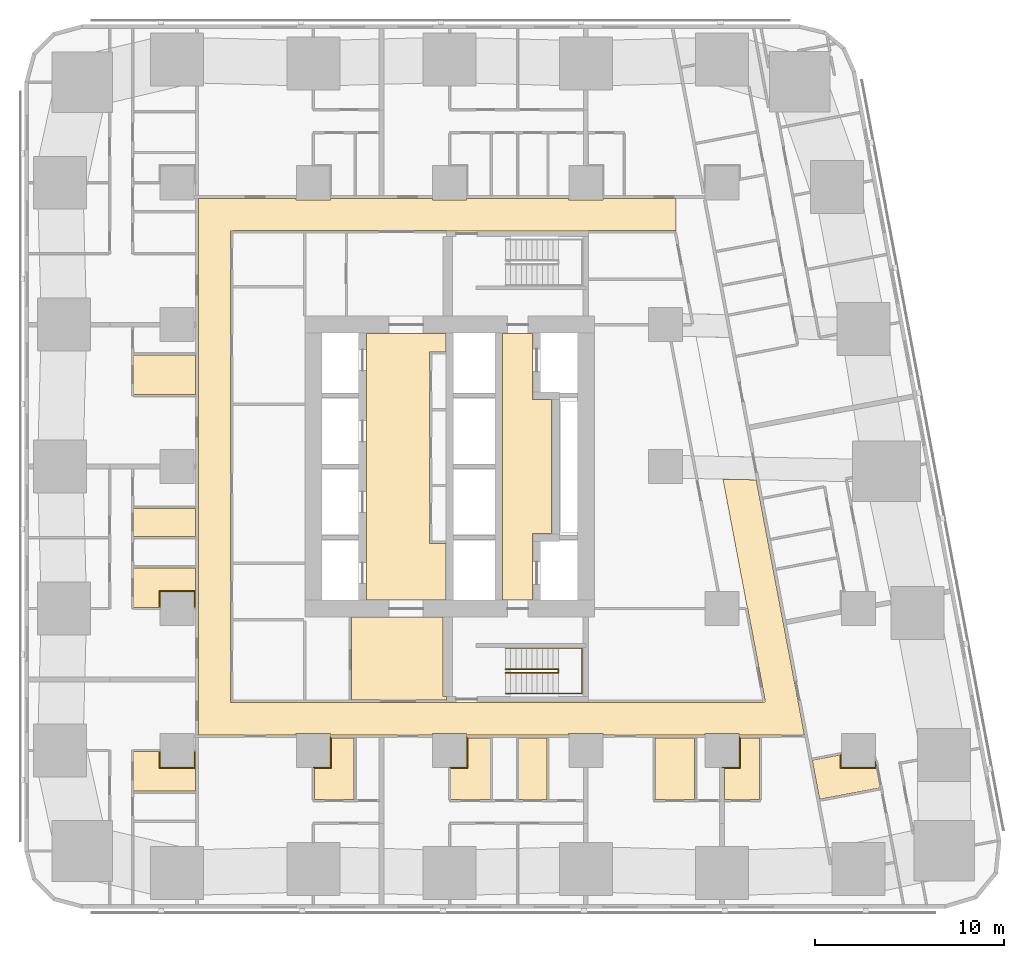
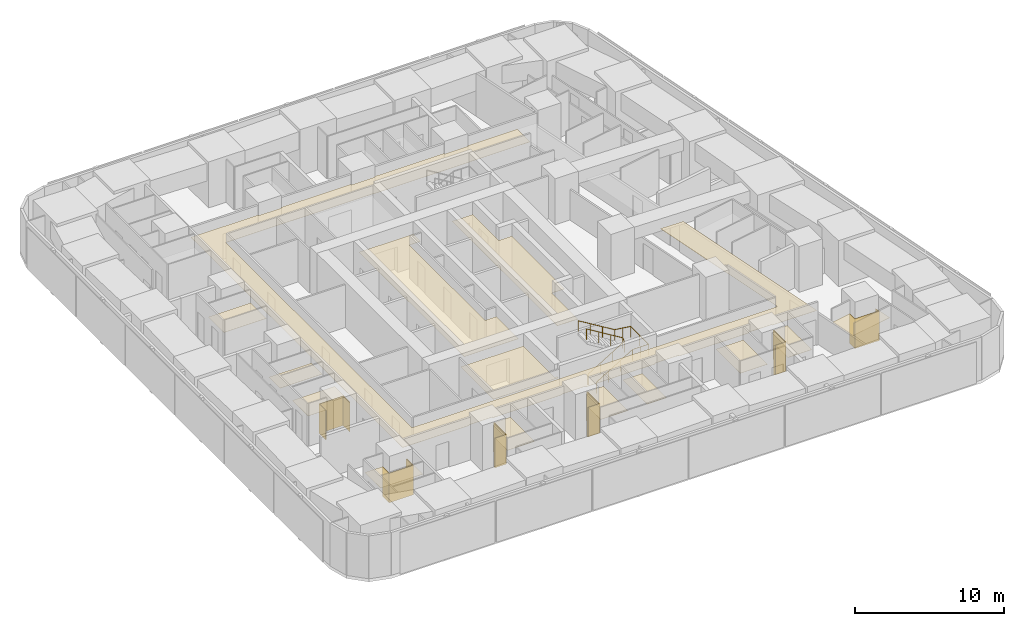
# One storey, part 14 of 16: 20 coverings, 2 railings.
"""IFC4 building model written with IfcOpenShell, lengths in metres."""

from ifc_helpers import new_model, si_unit, direction, frame, origin, origin_2d, place, context, subcontext, project, spatial, polyline, circle, outline, extrude, material, layer, layer_set, type_object, element, save


model = new_model("IFC4")

# Units and contexts
model_context = context("Model", 3, precision=1e-05, world=origin(), true_north=direction((0.0, 1.0)))
body_context = subcontext(model_context, "Body", "Model", "MODEL_VIEW")
ifc_project = project(units=[si_unit("LENGTHUNIT", "METRE"), si_unit("AREAUNIT", "SQUARE_METRE"), si_unit("VOLUMEUNIT", "CUBIC_METRE"), si_unit("PLANEANGLEUNIT", "RADIAN"), si_unit("MASSUNIT", "GRAM", prefix="KILO")], contexts=[model_context])

# Site, building, storey
site_placement = place(None, origin())
site = spatial("IfcSite", under=ifc_project, at=site_placement, CompositionType="ELEMENT")
building_placement = place(site_placement, origin())
building = spatial("IfcBuilding", under=site, at=building_placement, Name="Sheger Commons Tower", CompositionType="ELEMENT")
storey_placement = place(building_placement, frame((0.0, 0.0, 61.25)))
storey = spatial("IfcBuildingStorey", under=building, at=storey_placement, Name="L15", CompositionType="ELEMENT", Elevation=61.25)

# Railings
ifc_material_1 = material(Name="Steel handrail, black powder-coated", Category="steel")
railing_type = type_object("IfcRailingType", Name="HANDRAIL 900", PredefinedType="HANDRAIL", material=ifc_material_1)
railing_1_placement = place(storey_placement, frame((24.550048828125, 11.60009765625, 0.17041015625)))
element("IfcRailing", 1, at=railing_1_placement, inside=storey, type_object=railing_type, Name="Stair S1 handrail L15", PredefinedType="HANDRAIL", context=body_context, shape_type="SweptSolid", body=[
    extrude(circle(Radius=0.02392578125, at=origin_2d()), frame((0.0, 0.0, 0.8759765625), z_axis=(0.854169791009, 0.0, 0.51999420009), x_axis=(0.0, 1.0, 0.0)), (0.0, 0.0, 1.0), 3.278076171875),
    extrude(circle(Radius=0.02392578125, at=origin_2d()), frame((2.800048828125, 0.0, 2.58056640625), z_axis=(0.0, 0.761090297175, 0.648645943136), x_axis=(-1.0, 0.0, 0.0)), (0.0, 0.0, 1.0), 0.2626953125),
    extrude(circle(Radius=0.02392578125, at=origin_2d()), frame((2.800048828125, 0.199951171875, 2.7509765625), z_axis=(-0.854169791009, 0.0, 0.51999420009), x_axis=(0.0, -1.0, 0.0)), (0.0, 0.0, 1.0), 3.278076171875),
    extrude(circle(Radius=0.02099609375, at=origin_2d()), origin(), (0.0, 0.0, 1.0), 0.851806640625),
    extrude(circle(Radius=0.02099609375, at=origin_2d()), frame((0.933349609375, 0.0, 0.568115234375)), (0.0, 0.0, 1.0), 0.851806640625),
    extrude(circle(Radius=0.02099609375, at=origin_2d()), frame((1.86669921875, 0.0, 1.136474609375)), (0.0, 0.0, 1.0), 0.851806640625),
    extrude(circle(Radius=0.02099609375, at=origin_2d()), frame((2.800048828125, 0.0, 1.70458984375)), (0.0, 0.0, 1.0), 0.851806640625),
    extrude(circle(Radius=0.02099609375, at=origin_2d()), frame((2.800048828125, 0.199951171875, 1.875)), (0.0, 0.0, 1.0), 0.851806640625),
    extrude(circle(Radius=0.02099609375, at=origin_2d()), frame((1.86669921875, 0.199951171875, 2.443115234375)), (0.0, 0.0, 1.0), 0.851806640625),
    extrude(circle(Radius=0.02099609375, at=origin_2d()), frame((0.933349609375, 0.199951171875, 3.011474609375)), (0.0, 0.0, 1.0), 0.851806640625),
    extrude(circle(Radius=0.02099609375, at=origin_2d()), frame((0.0, 0.199951171875, 3.57958984375)), (0.0, 0.0, 1.0), 0.851806640625),
])
railing_2_placement = place(storey_placement, frame((24.550048828125, 10.5, 0.17041015625)))
element("IfcRailing", 2, at=railing_2_placement, inside=storey, type_object=railing_type, Name="Stair S1 handrail L15", PredefinedType="HANDRAIL", context=body_context, shape_type="SweptSolid", body=[
    extrude(circle(Radius=0.02392578125, at=origin_2d()), frame((0.0, 0.0, 0.8759765625), z_axis=(0.854169791009, 0.0, 0.51999420009), x_axis=(0.0, 1.0, 0.0)), (0.0, 0.0, 1.0), 3.278076171875),
    extrude(circle(Radius=0.02392578125, at=origin_2d()), frame((2.800048828125, 0.0, 2.58056640625), z_axis=(1.0, 0.0, 0.0), x_axis=(0.0, 1.0, 0.0)), (0.0, 0.0, 1.0), 1.25),
    extrude(circle(Radius=0.02392578125, at=origin_2d()), frame((4.050048828125, 0.0, 2.58056640625), z_axis=(0.0, 1.0, 0.0), x_axis=(-1.0, 0.0, 0.0)), (0.0, 0.0, 1.0), 2.39990234375),
    extrude(circle(Radius=0.02392578125, at=origin_2d()), frame((4.050048828125, 2.39990234375, 2.58056640625), z_axis=(-0.990834877927, 0.0, 0.135078661092), x_axis=(0.0, -1.0, 0.0)), (0.0, 0.0, 1.0), 1.261474609375),
    extrude(circle(Radius=0.02392578125, at=origin_2d()), frame((2.800048828125, 2.39990234375, 2.7509765625), z_axis=(-0.854169791009, 0.0, 0.51999420009), x_axis=(0.0, -1.0, 0.0)), (0.0, 0.0, 1.0), 3.278076171875),
    extrude(circle(Radius=0.02099609375, at=origin_2d()), origin(), (0.0, 0.0, 1.0), 0.851806640625),
    extrude(circle(Radius=0.02099609375, at=origin_2d()), frame((0.933349609375, 0.0, 0.568115234375)), (0.0, 0.0, 1.0), 0.851806640625),
    extrude(circle(Radius=0.02099609375, at=origin_2d()), frame((1.86669921875, 0.0, 1.136474609375)), (0.0, 0.0, 1.0), 0.851806640625),
    extrude(circle(Radius=0.02099609375, at=origin_2d()), frame((2.800048828125, 0.0, 1.70458984375)), (0.0, 0.0, 1.0), 0.851806640625),
    extrude(circle(Radius=0.02099609375, at=origin_2d()), frame((3.425048828125, 0.0, 1.70458984375)), (0.0, 0.0, 1.0), 0.851806640625),
    extrude(circle(Radius=0.02099609375, at=origin_2d()), frame((4.050048828125, 0.0, 1.70458984375)), (0.0, 0.0, 1.0), 0.851806640625),
    extrude(circle(Radius=0.02099609375, at=origin_2d()), frame((4.050048828125, 1.199951171875, 1.70458984375)), (0.0, 0.0, 1.0), 0.851806640625),
    extrude(circle(Radius=0.02099609375, at=origin_2d()), frame((4.050048828125, 2.39990234375, 1.70458984375)), (0.0, 0.0, 1.0), 0.851806640625),
    extrude(circle(Radius=0.02099609375, at=origin_2d()), frame((3.425048828125, 2.39990234375, 1.789794921875)), (0.0, 0.0, 1.0), 0.851806640625),
    extrude(circle(Radius=0.02099609375, at=origin_2d()), frame((2.800048828125, 2.39990234375, 1.875)), (0.0, 0.0, 1.0), 0.851806640625),
    extrude(circle(Radius=0.02099609375, at=origin_2d()), frame((1.86669921875, 2.39990234375, 2.443115234375)), (0.0, 0.0, 1.0), 0.851806640625),
    extrude(circle(Radius=0.02099609375, at=origin_2d()), frame((0.933349609375, 2.39990234375, 3.011474609375)), (0.0, 0.0, 1.0), 0.851806640625),
    extrude(circle(Radius=0.02099609375, at=origin_2d()), frame((0.0, 2.39990234375, 3.57958984375)), (0.0, 0.0, 1.0), 0.851806640625),
])

# Coverings
ifc_material_2 = material(Name="Moisture-resistant gypsum plasterboard 15 mm on a suspended galvanised steel grid", Category="steel")
ifc_layer_1 = layer(ifc_material_2, 0.014892578125)
ifc_layer_set_1 = layer_set([ifc_layer_1], Name="MOISTURE-RESISTANT CEILING 15")
covering_type_1 = type_object("IfcCoveringType", Name="MOISTURE-RESISTANT CEILING 15", PredefinedType="CEILING", material=ifc_layer_set_1)
covering_1_placement = place(storey_placement, frame((0.0, 0.0, 2.39990234375)))
element("IfcCovering", 3, at=covering_1_placement, inside=storey, type_object=covering_type_1, Name="L15-01.B1 ceiling", PredefinedType="CEILING", context=body_context, shape_type="SweptSolid", body=[
    extrude(outline(polyline([(4.905029296875, 5.344970703125), (8.169921875, 5.344970703125), (8.169921875, 7.445068359375), (8.10498046875, 7.445068359375), (8.10498046875, 6.594970703125), (6.294921875, 6.594970703125), (6.294921875, 7.445068359375), (4.905029296875, 7.445068359375), (4.905029296875, 5.344970703125)])), origin(), (0.0, 0.0, 1.0), 0.01513671875),
])
covering_2_placement = place(storey_placement, frame((0.0, 0.0, 2.39990234375)))
element("IfcCovering", 4, at=covering_2_placement, inside=storey, type_object=covering_type_1, Name="L15-02.B1 ceiling", PredefinedType="CEILING", context=body_context, shape_type="SweptSolid", body=[
    extrude(outline(polyline([(4.905029296875, 15.054931640625), (6.294921875, 15.054931640625), (6.294921875, 15.905029296875), (8.10498046875, 15.905029296875), (8.10498046875, 15.054931640625), (8.169921875, 15.054931640625), (8.169921875, 17.155029296875), (4.905029296875, 17.155029296875), (4.905029296875, 15.054931640625)])), origin(), (0.0, 0.0, 1.0), 0.01513671875),
])
covering_3_placement = place(storey_placement, frame((0.0, 0.0, 2.39990234375)))
element("IfcCovering", 5, at=covering_3_placement, inside=storey, type_object=covering_type_1, Name="L15-02.B2 ceiling", PredefinedType="CEILING", context=body_context, shape_type="SweptSolid", body=[
    extrude(outline(polyline([(4.905029296875, 18.804931640625), (8.169921875, 18.804931640625), (8.169921875, 20.294921875), (4.905029296875, 20.294921875), (4.905029296875, 18.804931640625)])), origin(), (0.0, 0.0, 1.0), 0.01513671875),
])
covering_4_placement = place(storey_placement, frame((0.0, 0.0, 2.39990234375)))
element("IfcCovering", 6, at=covering_4_placement, inside=storey, type_object=covering_type_1, Name="L15-03.B1 ceiling", PredefinedType="CEILING", context=body_context, shape_type="SweptSolid", body=[
    extrude(outline(polyline([(4.905029296875, 26.304931640625), (8.169921875, 26.304931640625), (8.169921875, 28.405029296875), (4.905029296875, 28.405029296875), (4.905029296875, 26.304931640625)])), origin(), (0.0, 0.0, 1.0), 0.01513671875),
])
covering_5_placement = place(storey_placement, frame((0.0, 0.0, 2.39990234375)))
element("IfcCovering", 7, at=covering_5_placement, inside=storey, type_object=covering_type_1, Name="L15-05.B1 ceiling", PredefinedType="CEILING", context=body_context, shape_type="SweptSolid", body=[
    extrude(outline(polyline([(14.455078125, 4.905029296875), (16.554931640625, 4.905029296875), (16.554931640625, 8.169921875), (15.304931640625, 8.169921875), (15.304931640625, 6.594970703125), (14.455078125, 6.594970703125), (14.455078125, 4.905029296875)])), origin(), (0.0, 0.0, 1.0), 0.01513671875),
])
covering_6_placement = place(storey_placement, frame((0.0, 0.0, 2.39990234375)))
element("IfcCovering", 8, at=covering_6_placement, inside=storey, type_object=covering_type_1, Name="L15-06.B1 ceiling", PredefinedType="CEILING", context=body_context, shape_type="SweptSolid", body=[
    extrude(outline(polyline([(21.655029296875, 4.905029296875), (23.7548828125, 4.905029296875), (23.7548828125, 8.169921875), (22.5048828125, 8.169921875), (22.5048828125, 6.594970703125), (21.655029296875, 6.594970703125), (21.655029296875, 4.905029296875)])), origin(), (0.0, 0.0, 1.0), 0.01513671875),
])
covering_7_placement = place(storey_placement, frame((0.0, 0.0, 2.39990234375)))
element("IfcCovering", 9, at=covering_7_placement, inside=storey, type_object=covering_type_1, Name="L15-06.B2 ceiling", PredefinedType="CEILING", context=body_context, shape_type="SweptSolid", body=[
    extrude(outline(polyline([(25.2548828125, 4.905029296875), (26.7451171875, 4.905029296875), (26.7451171875, 8.169921875), (25.2548828125, 8.169921875), (25.2548828125, 4.905029296875)])), origin(), (0.0, 0.0, 1.0), 0.01513671875),
])
covering_8_placement = place(storey_placement, frame((0.0, 0.0, 2.39990234375)))
element("IfcCovering", 10, at=covering_8_placement, inside=storey, type_object=covering_type_1, Name="L15-07.B1 ceiling", PredefinedType="CEILING", context=body_context, shape_type="SweptSolid", body=[
    extrude(outline(polyline([(32.455078125, 4.905029296875), (34.554931640625, 4.905029296875), (34.554931640625, 8.169921875), (32.455078125, 8.169921875), (32.455078125, 4.905029296875)])), origin(), (0.0, 0.0, 1.0), 0.01513671875),
])
covering_9_placement = place(storey_placement, frame((0.0, 0.0, 2.39990234375)))
element("IfcCovering", 11, at=covering_9_placement, inside=storey, type_object=covering_type_1, Name="L15-08.B1 ceiling", PredefinedType="CEILING", context=body_context, shape_type="SweptSolid", body=[
    extrude(outline(polyline([(36.1298828125, 4.905029296875), (37.97412109375, 4.905029296875), (37.97412109375, 8.169921875), (36.905029296875, 8.169921875), (36.905029296875, 6.594970703125), (36.1298828125, 6.594970703125), (36.1298828125, 4.905029296875)])), origin(), (0.0, 0.0, 1.0), 0.01513671875),
])
covering_10_placement = place(storey_placement, frame((0.0, 0.0, 2.39990234375)))
element("IfcCovering", 12, at=covering_10_placement, inside=storey, type_object=covering_type_1, Name="L15-11.B1 ceiling", PredefinedType="CEILING", context=body_context, shape_type="SweptSolid", body=[
    extrude(outline(polyline([(41.156005859375, 4.9208984375), (44.364013671875, 5.527099609375), (44.10693359375, 6.885009765625), (44.10498046875, 6.885009765625), (44.10498046875, 6.594970703125), (42.294921875, 6.594970703125), (42.294921875, 7.27392578125), (40.76611328125, 6.985107421875), (41.156005859375, 4.9208984375)])), origin(), (0.0, 0.0, 1.0), 0.01513671875),
])
ifc_material_3 = material(Name="Gypsum plasterboard 15 mm on a suspended steel grid", Category="steel")
ifc_layer_2 = layer(ifc_material_3, 0.014892578125)
ifc_layer_set_2 = layer_set([ifc_layer_2], Name="SUSPENDED CEILING 15")
covering_type_2 = type_object("IfcCoveringType", Name="SUSPENDED CEILING 15", PredefinedType="CEILING", material=ifc_layer_set_2)
covering_11_placement = place(storey_placement, frame((0.0, 0.0, 2.699951171875)))
element("IfcCovering", 13, at=covering_11_placement, inside=storey, type_object=covering_type_2, Name="L15-CO ceiling", PredefinedType="CEILING", context=body_context, shape_type="SweptSolid", body=[
    extrude(outline(polyline([(8.330078125, 8.330078125), (13.4951171875, 8.330078125), (13.4951171875, 8.405029296875), (15.304931640625, 8.405029296875), (15.304931640625, 8.330078125), (20.695068359375, 8.330078125), (20.695068359375, 8.405029296875), (22.5048828125, 8.405029296875), (22.5048828125, 8.330078125), (27.89501953125, 8.330078125), (27.89501953125, 8.405029296875), (29.705078125, 8.405029296875), (29.705078125, 8.330078125), (35.094970703125, 8.330078125), (35.094970703125, 8.405029296875), (36.905029296875, 8.405029296875), (36.905029296875, 8.330078125), (40.34912109375, 8.330078125), (37.804931640625, 21.798095703125), (36.048095703125, 21.8330078125), (37.3359375, 15.013916015625), (37.35302734375, 15.01708984375), (38.26904296875, 10.1708984375), (38.251953125, 10.1669921875), (38.27392578125, 10.050048828125), (38.14306640625, 10.050048828125), (38.14306640625, 10.031982421875), (28.945068359375, 10.031982421875), (28.945068359375, 10.044921875), (21.455078125, 10.044921875), (21.455078125, 10.031982421875), (10.157958984375, 10.031982421875), (10.157958984375, 10.044921875), (10.031982421875, 10.044921875), (10.031982421875, 34.955078125), (10.157958984375, 34.955078125), (10.157958984375, 34.968017578125), (21.455078125, 34.968017578125), (21.455078125, 34.949951171875), (28.945068359375, 34.949951171875), (28.945068359375, 34.968017578125), (33.54296875, 34.968017578125), (33.54296875, 34.949951171875), (33.568115234375, 34.949951171875), (33.568115234375, 36.669921875), (29.705078125, 36.669921875), (29.705078125, 36.594970703125), (27.89501953125, 36.594970703125), (27.89501953125, 36.669921875), (22.5048828125, 36.669921875), (22.5048828125, 36.594970703125), (20.695068359375, 36.594970703125), (20.695068359375, 36.669921875), (15.304931640625, 36.669921875), (15.304931640625, 36.594970703125), (13.4951171875, 36.594970703125), (13.4951171875, 36.669921875), (8.330078125, 36.669921875), (8.330078125, 8.330078125)])), origin(), (0.0, 0.0, 1.0), 0.01513671875),
])
covering_12_placement = place(storey_placement, frame((0.0, 0.0, 2.699951171875)))
element("IfcCovering", 14, at=covering_12_placement, inside=storey, type_object=covering_type_2, Name="L15-SVS1 ceiling", PredefinedType="CEILING", context=body_context, shape_type="SweptSolid", body=[
    extrude(outline(polyline([(16.406982421875, 10.16796875), (21.445068359375, 10.16796875), (21.445068359375, 10.344970703125), (21.2451171875, 10.344970703125), (21.2451171875, 14.544921875), (16.406982421875, 14.544921875), (16.406982421875, 10.16796875)])), origin(), (0.0, 0.0, 1.0), 0.01513671875),
])
covering_13_placement = place(storey_placement, frame((0.0, 0.0, 2.699951171875)))
element("IfcCovering", 15, at=covering_13_placement, inside=storey, type_object=covering_type_2, Name="L15-LL ceiling", PredefinedType="CEILING", context=body_context, shape_type="SweptSolid", body=[
    extrude(outline(polyline([(17.205078125, 15.455078125), (21.39990234375, 15.455078125), (21.39990234375, 18.43310546875), (20.657958984375, 18.43310546875), (20.532958984375, 18.43310546875), (20.532958984375, 28.56689453125), (20.657958984375, 28.56689453125), (21.39990234375, 28.56689453125), (21.39990234375, 29.544921875), (17.205078125, 29.544921875), (17.205078125, 15.455078125)])), origin(), (0.0, 0.0, 1.0), 0.01513671875),
])
covering_14_placement = place(storey_placement, frame((0.0, 0.0, 2.699951171875)))
element("IfcCovering", 16, at=covering_14_placement, inside=storey, type_object=covering_type_2, Name="L15-FL ceiling", PredefinedType="CEILING", context=body_context, shape_type="SweptSolid", body=[
    extrude(outline(polyline([(24.405029296875, 15.455078125), (25.9951171875, 15.455078125), (25.9951171875, 18.955078125), (26.9951171875, 18.955078125), (26.9951171875, 26.044921875), (25.9951171875, 26.044921875), (25.9951171875, 29.544921875), (24.405029296875, 29.544921875), (24.405029296875, 15.455078125)])), origin(), (0.0, 0.0, 1.0), 0.01513671875),
])
ifc_material_4 = material(Name="Moisture-resistant gypsum board 12.5 mm on 25 mm treated timber battens, tanked and tiled", Category="wood")
ifc_layer_3 = layer(ifc_material_4, 0.050048828125)
ifc_layer_set_3 = layer_set([ifc_layer_3], Name="WET-ROOM COLUMN LINING")
covering_type_3 = type_object("IfcCoveringType", Name="WET-ROOM COLUMN LINING", PredefinedType="CLADDING", material=ifc_layer_set_3)
covering_15_placement = place(storey_placement, origin())
element("IfcCovering", 17, at=covering_15_placement, inside=storey, type_object=covering_type_3, Name="Bathroom column lining C8 L15", PredefinedType="CLADDING", context=body_context, shape_type="SweptSolid", body=[
    extrude(outline(polyline([(6.300048828125, 7.5), (6.300048828125, 6.60009765625), (8.10009765625, 6.60009765625), (8.10009765625, 7.5), (8.10107421875, 7.5), (8.10107421875, 7.449951171875), (8.14990234375, 7.449951171875), (8.14990234375, 6.550048828125), (6.25, 6.550048828125), (6.25, 7.449951171875), (6.299072265625, 7.449951171875), (6.299072265625, 7.5), (6.300048828125, 7.5)])), origin(), (0.0, 0.0, 1.0), 2.39990234375),
])
covering_16_placement = place(storey_placement, origin())
element("IfcCovering", 18, at=covering_16_placement, inside=storey, type_object=covering_type_3, Name="Bathroom column lining C8 L15", PredefinedType="CLADDING", context=body_context, shape_type="SweptSolid", body=[
    extrude(outline(polyline([(14.449951171875, 6.550048828125), (14.449951171875, 6.59912109375), (14.39990234375, 6.59912109375), (14.39990234375, 6.60009765625), (15.300048828125, 6.60009765625), (15.300048828125, 8.25), (15.301025390625, 8.25), (15.301025390625, 8.175048828125), (15.35009765625, 8.175048828125), (15.35009765625, 6.550048828125), (14.449951171875, 6.550048828125)])), origin(), (0.0, 0.0, 1.0), 2.39990234375),
])
covering_17_placement = place(storey_placement, origin())
element("IfcCovering", 19, at=covering_17_placement, inside=storey, type_object=covering_type_3, Name="Bathroom column lining C8 L15", PredefinedType="CLADDING", context=body_context, shape_type="SweptSolid", body=[
    extrude(outline(polyline([(21.64990234375, 6.550048828125), (21.64990234375, 6.59912109375), (21.60009765625, 6.59912109375), (21.60009765625, 6.60009765625), (22.5, 6.60009765625), (22.5, 8.25), (22.5009765625, 8.25), (22.5009765625, 8.175048828125), (22.550048828125, 8.175048828125), (22.550048828125, 6.550048828125), (21.64990234375, 6.550048828125)])), origin(), (0.0, 0.0, 1.0), 2.39990234375),
])
covering_18_placement = place(storey_placement, origin())
element("IfcCovering", 20, at=covering_18_placement, inside=storey, type_object=covering_type_3, Name="Shower room column lining C8 L15", PredefinedType="CLADDING", context=body_context, shape_type="SweptSolid", body=[
    extrude(outline(polyline([(36.125, 6.550048828125), (36.125, 6.59912109375), (36.0, 6.59912109375), (36.0, 6.60009765625), (36.89990234375, 6.60009765625), (36.89990234375, 8.25), (36.90087890625, 8.25), (36.90087890625, 8.175048828125), (36.949951171875, 8.175048828125), (36.949951171875, 6.550048828125), (36.125, 6.550048828125)])), origin(), (0.0, 0.0, 1.0), 2.39990234375),
])
covering_19_placement = place(storey_placement, origin())
element("IfcCovering", 21, at=covering_19_placement, inside=storey, type_object=covering_type_3, Name="Bathroom column lining C8 L15", PredefinedType="CLADDING", context=body_context, shape_type="SweptSolid", body=[
    extrude(outline(polyline([(42.300048828125, 7.3310546875), (42.300048828125, 6.60009765625), (44.10009765625, 6.60009765625), (44.10009765625, 6.949951171875), (44.14990234375, 6.68603515625), (44.14990234375, 6.550048828125), (42.25, 6.550048828125), (42.25, 7.27099609375), (42.299072265625, 7.280029296875), (42.2900390625, 7.3291015625), (42.300048828125, 7.3310546875)])), origin(), (0.0, 0.0, 1.0), 2.39990234375),
])
covering_20_placement = place(storey_placement, origin())
element("IfcCovering", 22, at=covering_20_placement, inside=storey, type_object=covering_type_3, Name="Bathroom column lining C8 L15", PredefinedType="CLADDING", context=body_context, shape_type="SweptSolid", body=[
    extrude(outline(polyline([(8.14990234375, 15.949951171875), (8.14990234375, 15.050048828125), (8.10107421875, 15.050048828125), (8.10107421875, 15.0), (8.10009765625, 15.0), (8.10009765625, 15.89990234375), (6.300048828125, 15.89990234375), (6.300048828125, 15.0), (6.299072265625, 15.0), (6.299072265625, 15.050048828125), (6.25, 15.050048828125), (6.25, 15.949951171875), (8.14990234375, 15.949951171875)])), origin(), (0.0, 0.0, 1.0), 2.39990234375),
])

save(model, "model.ifc")
